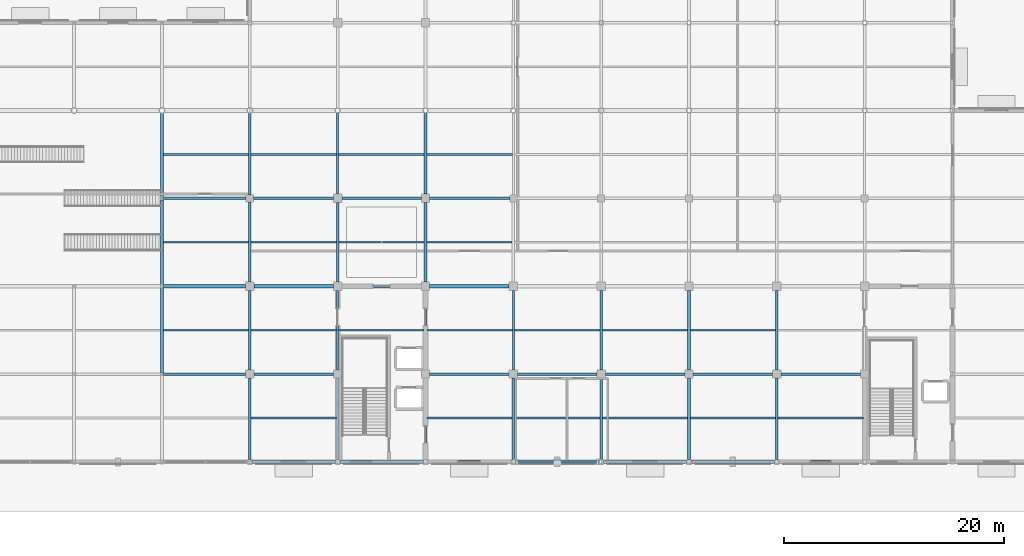
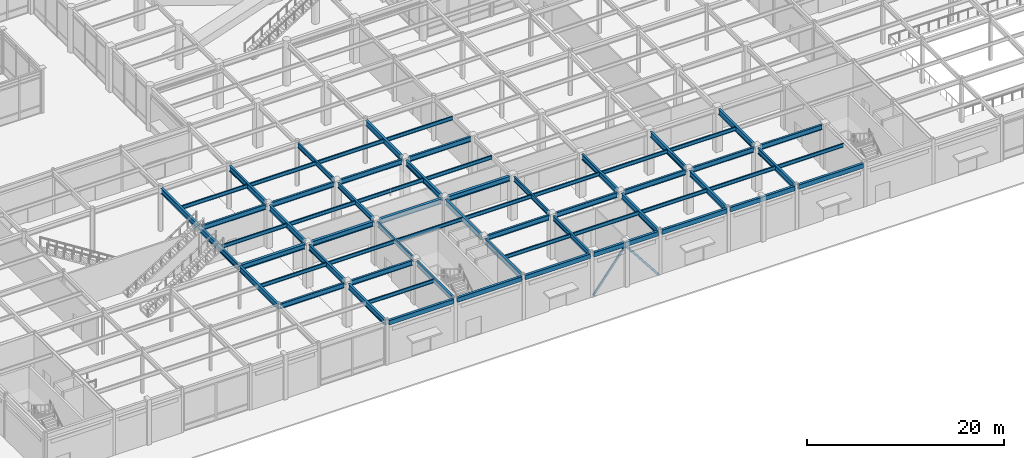
# One storey, part 47 of 128: 66 beams, 2 members.
"""IFC4 building model written with IfcOpenShell, lengths in metres."""

import ifcopenshell
import ifcopenshell.guid

model = None  # the IFC model being written
_history = None  # IfcOwnerHistory: only IFC2X3 demands one
_inside = {}  # id of a spatial element -> (the spatial element, [elements in it])
_under = {}  # id of a project, library or spatial element -> (it, [spatial elements below it])
_declared = {}  # id of a project -> (the project, [libraries it declares])
_typed = {}  # id of a type object -> (the type object, [elements of that type])
_made_of = {}  # id of a material, layer set ... -> (it, [elements and type objects made of it])


def new_model(schema):
    """Start an empty IFC model of exactly this schema.

    Asked for "IFC4X3", IfcOpenShell would pick the latest addendum, in which some entities
    have other attributes; the version numbers below select the first issue.
    IFC2X3 requires an IfcOwnerHistory on every rooted entity: one is made here for all.
    """
    global model, _history
    if schema == "IFC4X3":
        model = ifcopenshell.file(schema_version=(4, 3, 0, 0))
    else:
        model = ifcopenshell.file(schema=schema)
    _inside.clear()
    _under.clear()
    _declared.clear()
    _typed.clear()
    _made_of.clear()
    _history = None
    if model.schema == "IFC2X3":
        org = make("IfcOrganization", Name="unknown")
        user = make(
            "IfcPersonAndOrganization",
            ThePerson=make("IfcPerson", FamilyName="unknown"),
            TheOrganization=org,
        )
        app = make(
            "IfcApplication",
            ApplicationDeveloper=org,
            Version="unknown",
            ApplicationFullName="unknown",
            ApplicationIdentifier="unknown",
        )
        _history = make(
            "IfcOwnerHistory",
            OwningUser=user,
            OwningApplication=app,
            ChangeAction="ADDED",
            CreationDate=0,
        )
    return model


def make(cls, **values):
    """One entity of the class cls with the attributes given. An attribute that is None is left unset."""
    return model.create_entity(
        cls, **{name: value for name, value in values.items() if value is not None}
    )


def rooted(cls, **values):
    """An entity with a GlobalId (a new one), such as an element, a storey or a relation."""
    return make(cls, GlobalId=ifcopenshell.guid.new(), OwnerHistory=_history, **values)


def si_unit(unit_type, name, prefix=None):
    """IfcSIUnit, for example si_unit("LENGTHUNIT", "METRE", prefix="MILLI")."""
    return make("IfcSIUnit", UnitType=unit_type, Prefix=prefix, Name=name)


def assignment(units):
    """IfcUnitAssignment: the units of a project."""
    return None if units is None else make("IfcUnitAssignment", Units=units)


def point(xyz):
    """IfcCartesianPoint."""
    return None if xyz is None else make("IfcCartesianPoint", Coordinates=xyz)


def direction(xyz):
    """IfcDirection."""
    return None if xyz is None else make("IfcDirection", DirectionRatios=xyz)


def frame(location, z_axis=None, x_axis=None):
    """IfcAxis2Placement3D, a coordinate frame: its origin and axes. An axis left out is left unset."""
    return make(
        "IfcAxis2Placement3D",
        Location=point(location),
        Axis=direction(z_axis),
        RefDirection=direction(x_axis),
    )


def frame_2d(location, x_axis=None):
    """IfcAxis2Placement2D, a coordinate frame in the plane: its origin and x axis."""
    return make(
        "IfcAxis2Placement2D", Location=point(location), RefDirection=direction(x_axis)
    )


def origin():
    """The frame at (0, 0, 0) with its axes left unset."""
    return frame((0.0, 0.0, 0.0))


def origin_2d():
    """The frame at (0, 0) in the plane with its x axis left unset."""
    return frame_2d((0.0, 0.0))


def place(relative_to, where):
    """IfcLocalPlacement: puts the frame where relative to a parent placement (None: the world)."""
    return make(
        "IfcLocalPlacement", PlacementRelTo=relative_to, RelativePlacement=where
    )


def context(
    kind, dimensions, precision=None, world=None, true_north=None, identifier=None
):
    """IfcGeometricRepresentationContext, for example the 3D "Model" context."""
    return make(
        "IfcGeometricRepresentationContext",
        ContextIdentifier=identifier,
        ContextType=kind,
        CoordinateSpaceDimension=dimensions,
        Precision=precision,
        WorldCoordinateSystem=world,
        TrueNorth=true_north,
    )


def subcontext(parent, identifier, kind, view, scale=None):
    """IfcGeometricRepresentationSubContext, for example "Body" below "Model"."""
    return make(
        "IfcGeometricRepresentationSubContext",
        ContextIdentifier=identifier,
        ContextType=kind,
        ParentContext=parent,
        TargetScale=scale,
        TargetView=view,
    )


def project(units=None, contexts=None):
    """IfcProject with its units and contexts."""
    return rooted(
        "IfcProject",
        Name="project",
        RepresentationContexts=contexts,
        UnitsInContext=assignment(units),
    )


def spatial(cls, under=None, at=None, **own):
    """A site, building, storey or space (cls), placed at a placement, below another one or the project."""
    s = rooted(cls, ObjectPlacement=at, **own)
    if under is not None:
        _under.setdefault(under.id(), (under, []))[1].append(s)
    return s


def profile(cls, at=None, kind="AREA", **sizes):
    """A parametric profile (cls). Its sizes go by their IFC names, for example OverallWidth=200.0."""
    return make(cls, ProfileType=kind, Position=at, **sizes)


def hollow_rectangle(**sizes):
    """IfcRectangleHollowProfileDef."""
    return profile("IfcRectangleHollowProfileDef", **sizes)


def i_section(**sizes):
    """IfcIShapeProfileDef."""
    return profile("IfcIShapeProfileDef", **sizes)


def extrude(swept, where, along, depth):
    """IfcExtrudedAreaSolid: the profile swept, set in the frame where, extruded along a direction by depth."""
    return make(
        "IfcExtrudedAreaSolid",
        SweptArea=swept,
        Position=where,
        ExtrudedDirection=direction(along),
        Depth=depth,
    )


def shape(context_of_items, identifier, shape_type, items):
    """IfcShapeRepresentation: the items that make up one representation, for example the "Body"."""
    return make(
        "IfcShapeRepresentation",
        ContextOfItems=context_of_items,
        RepresentationIdentifier=identifier,
        RepresentationType=shape_type,
        Items=items,
    )


def material(Name=None, Category=None):
    """IfcMaterial."""
    return make("IfcMaterial", Name=Name, Category=Category)


def material_profile(
    of_material, cross_section, Name=None, Category=None, Priority=None
):
    """IfcMaterialProfile: a cross section and its material."""
    return make(
        "IfcMaterialProfile",
        Name=Name,
        Material=of_material,
        Profile=cross_section,
        Priority=Priority,
        Category=Category,
    )


def profile_set(profiles, Name=None, composite=None):
    """IfcMaterialProfileSet."""
    return make(
        "IfcMaterialProfileSet",
        Name=Name,
        MaterialProfiles=profiles,
        CompositeProfile=composite,
    )


def made_of(thing, what):
    """Note that an element or type object is made of a material, layer set ...; save() writes the relation."""
    if what is not None:
        _made_of.setdefault(what.id(), (what, []))[1].append(thing)
    return thing


def type_object(cls, material=None, **own):
    """A type object (cls), such as IfcWallType, which elements share."""
    return made_of(rooted(cls, **own), material)


def element(
    cls,
    number,
    at=None,
    inside=None,
    cuts=None,
    type_object=None,
    material=None,
    context=None,
    identifier="Body",
    shape_type=None,
    held_by="IfcProductDefinitionShape",
    body=None,
    shapes=None,
    **own,
):
    """One element of the class cls, such as IfcWall. Its Tag is "e" and its number.

    at: its placement. inside: the storey or other place that contains it. cuts: it is an
    opening in that element (IfcRelVoidsElement). A single representation is given by context,
    identifier, shape_type and body (its items); several are given by shapes. held_by: the class
    of the entity that holds the representations. save() writes the other relations.
    """
    e = rooted(cls, Tag="e%d" % number, ObjectPlacement=at, **own)
    if body is not None:
        shapes = [shape(context, identifier, shape_type, body)]
    if shapes is not None:
        e.Representation = make(held_by, Representations=shapes)
    if inside is not None:
        _inside.setdefault(inside.id(), (inside, []))[1].append(e)
    if cuts is not None:
        rooted(
            "IfcRelVoidsElement", RelatingBuildingElement=cuts, RelatedOpeningElement=e
        )
    if type_object is not None:
        _typed.setdefault(type_object.id(), (type_object, []))[1].append(e)
    return made_of(e, material)


def aggregate(whole, parts):
    """IfcRelAggregates: a whole, such as a stair, and the parts it consists of."""
    return rooted("IfcRelAggregates", RelatingObject=whole, RelatedObjects=parts)


def save(model, path):
    """Write the relations noted so far, then the file.

    IfcRelAggregates (storeys below a building ...), IfcRelContainedInSpatialStructure (elements
    in a storey), IfcRelDefinesByType, IfcRelAssociatesMaterial and IfcRelDeclares: one each for
    every whole, place, type object, material and project.
    """
    for whole, parts in _under.values():
        aggregate(whole, parts)
    for where, things in _inside.values():
        rooted(
            "IfcRelContainedInSpatialStructure",
            RelatedElements=things,
            RelatingStructure=where,
        )
    for kind, things in _typed.values():
        rooted("IfcRelDefinesByType", RelatedObjects=things, RelatingType=kind)
    for what, things in _made_of.values():
        rooted("IfcRelAssociatesMaterial", RelatedObjects=things, RelatingMaterial=what)
    for by, libraries in _declared.values():
        rooted("IfcRelDeclares", RelatingContext=by, RelatedDefinitions=libraries)
    model.write(path)


model = new_model("IFC4")

# Units and contexts
model_context = context("Model", 3, precision=1e-05, world=origin(), true_north=direction((0.0, 1.0)))
body_context = subcontext(model_context, "Body", "Model", "MODEL_VIEW")
ifc_project = project(units=[si_unit("LENGTHUNIT", "METRE"), si_unit("AREAUNIT", "SQUARE_METRE"), si_unit("VOLUMEUNIT", "CUBIC_METRE"), si_unit("PLANEANGLEUNIT", "RADIAN"), si_unit("MASSUNIT", "GRAM", prefix="KILO")], contexts=[model_context])

# Site, building, storey
site_placement = place(None, origin())
site = spatial("IfcSite", under=ifc_project, at=site_placement, CompositionType="ELEMENT")
building_placement = place(site_placement, origin())
building = spatial("IfcBuilding", under=site, at=building_placement, Name="Solmirada Galleria", CompositionType="ELEMENT")
storey_placement = place(building_placement, origin())
storey = spatial("IfcBuildingStorey", under=building, at=storey_placement, Name="L00", CompositionType="ELEMENT", Elevation=0.0)

# Beams
ifc_material_1 = material(Name="Steel S355 / ASTM A992 Grade 50", Category="steel")
ifc_material_profile_1 = material_profile(ifc_material_1, i_section(OverallWidth=0.323974609375, OverallDepth=0.611083984375, WebThickness=0.0126953125, FlangeThickness=0.01904296875, FilletRadius=0.014892578125, at=origin_2d()), Name="W24X104")
ifc_profile_set_1 = profile_set([ifc_material_profile_1], Name="Steel S355 / ASTM A992 Grade 50")
beam_type_1 = type_object("IfcBeamType", Name="BM-GIRD-W24A", PredefinedType="BEAM", material=ifc_profile_set_1)
beam_1_placement = place(storey_placement, frame((72.126953125, 16.0, 5.074462890625), z_axis=(1.0, 0.0, 0.0), x_axis=(0.0, 1.0, 0.0)))
element("IfcBeam", 1, at=beam_1_placement, inside=storey, type_object=beam_type_1, Name="Primary beam L01 X(72..80, 16)", PredefinedType="BEAM", context=body_context, shape_type="SweptSolid", body=[
    extrude(i_section(OverallWidth=0.323974609375, OverallDepth=0.611083984375, WebThickness=0.0126953125, FlangeThickness=0.01904296875, FilletRadius=0.014892578125, at=origin_2d()), origin(), (0.0, 0.0, 1.0), 7.498046875),
])
for number, where, z_axis, x_axis, name in (
    (2, (80.375, 16.0, 5.074462890625), (1.0, 0.0, 0.0), (0.0, 1.0, 0.0), "Primary beam L01 X(80..88, 16)"),
    (3, (88.375, 16.0, 5.074462890625), (1.0, 0.0, 0.0), (0.0, 1.0, 0.0), "Primary beam L01 X(88..96, 16)"),
    (4, (96.375, 16.0, 5.074462890625), (1.0, 0.0, 0.0), (0.0, 1.0, 0.0), "Primary beam L01 X(96..104, 16)"),
):
    element("IfcBeam", number, at=place(storey_placement, frame(where, z_axis=z_axis, x_axis=x_axis)), inside=storey, type_object=beam_type_1, Name=name, PredefinedType="BEAM", context=body_context, shape_type="SweptSolid", body=[
        extrude(i_section(OverallWidth=0.323974609375, OverallDepth=0.611083984375, WebThickness=0.0126953125, FlangeThickness=0.01904296875, FilletRadius=0.014892578125, at=origin_2d()), origin(), (0.0, 0.0, 1.0), 7.25),
    ])
ifc_material_profile_2 = material_profile(ifc_material_1, i_section(OverallWidth=0.22900390625, OverallDepth=0.612060546875, WebThickness=0.011962890625, FlangeThickness=0.01953125, FilletRadius=0.014892578125, at=origin_2d()), Name="W24X84")
ifc_profile_set_2 = profile_set([ifc_material_profile_2], Name="Steel S355 / ASTM A992 Grade 50")
beam_type_2 = type_object("IfcBeamType", Name="BM-GIRD-W24B", PredefinedType="BEAM", material=ifc_profile_set_2)
beam_2_placement = place(storey_placement, frame((72.126953125, 8.0, 5.073974609375), z_axis=(1.0, 0.0, 0.0), x_axis=(0.0, 1.0, 0.0)))
element("IfcBeam", 5, at=beam_2_placement, inside=storey, type_object=beam_type_2, Name="Primary beam L01 X(72..80, 8)", PredefinedType="BEAM", context=body_context, shape_type="SweptSolid", body=[
    extrude(i_section(OverallWidth=0.22900390625, OverallDepth=0.612060546875, WebThickness=0.011962890625, FlangeThickness=0.01953125, FilletRadius=0.014892578125, at=origin_2d()), origin(), (0.0, 0.0, 1.0), 7.498046875),
])
beam_3_placement = place(storey_placement, frame((72.126953125, 24.0, 5.073974609375), z_axis=(1.0, 0.0, 0.0), x_axis=(0.0, 1.0, 0.0)))
element("IfcBeam", 6, at=beam_3_placement, inside=storey, type_object=beam_type_2, Name="Primary beam L01 X(72..80, 24)", PredefinedType="BEAM", context=body_context, shape_type="SweptSolid", body=[
    extrude(i_section(OverallWidth=0.22900390625, OverallDepth=0.612060546875, WebThickness=0.011962890625, FlangeThickness=0.01953125, FilletRadius=0.014892578125, at=origin_2d()), origin(), (0.0, 0.0, 1.0), 7.548095703125),
])
beam_4_placement = place(storey_placement, frame((80.375, 8.0, 5.073974609375), z_axis=(1.0, 0.0, 0.0), x_axis=(0.0, 1.0, 0.0)))
element("IfcBeam", 7, at=beam_4_placement, inside=storey, type_object=beam_type_2, Name="Primary beam L01 X(80..88, 8)", PredefinedType="BEAM", context=body_context, shape_type="SweptSolid", body=[
    extrude(i_section(OverallWidth=0.22900390625, OverallDepth=0.612060546875, WebThickness=0.011962890625, FlangeThickness=0.01953125, FilletRadius=0.014892578125, at=origin_2d()), origin(), (0.0, 0.0, 1.0), 7.25),
])
beam_5_placement = place(storey_placement, frame((80.324951171875, 24.0, 5.073974609375), z_axis=(1.0, 0.0, 0.0), x_axis=(0.0, 1.0, 0.0)))
element("IfcBeam", 8, at=beam_5_placement, inside=storey, type_object=beam_type_2, Name="Primary beam L01 X(80..88, 24)", PredefinedType="BEAM", context=body_context, shape_type="SweptSolid", body=[
    extrude(i_section(OverallWidth=0.22900390625, OverallDepth=0.612060546875, WebThickness=0.011962890625, FlangeThickness=0.01953125, FilletRadius=0.014892578125, at=origin_2d()), origin(), (0.0, 0.0, 1.0), 7.300048828125),
])
for number, where, z_axis, x_axis, name in (
    (9, (88.375, 24.0, 5.073974609375), (1.0, 0.0, 0.0), (0.0, 1.0, 0.0), "Primary beam L01 X(88..96, 24)"),
    (10, (96.375, 8.0, 5.073974609375), (1.0, 0.0, 0.0), (0.0, 1.0, 0.0), "Primary beam L01 X(96..104, 8)"),
):
    element("IfcBeam", number, at=place(storey_placement, frame(where, z_axis=z_axis, x_axis=x_axis)), inside=storey, type_object=beam_type_2, Name=name, PredefinedType="BEAM", context=body_context, shape_type="SweptSolid", body=[
        extrude(i_section(OverallWidth=0.22900390625, OverallDepth=0.612060546875, WebThickness=0.011962890625, FlangeThickness=0.01953125, FilletRadius=0.014892578125, at=origin_2d()), origin(), (0.0, 0.0, 1.0), 7.25),
    ])
beam_6_placement = place(storey_placement, frame((96.375, 24.0, 5.073974609375), z_axis=(1.0, 0.0, 0.0), x_axis=(0.0, 1.0, 0.0)))
element("IfcBeam", 11, at=beam_6_placement, inside=storey, type_object=beam_type_2, Name="Primary beam L01 X(96..104, 24)", PredefinedType="BEAM", context=body_context, shape_type="SweptSolid", body=[
    extrude(i_section(OverallWidth=0.22900390625, OverallDepth=0.612060546875, WebThickness=0.011962890625, FlangeThickness=0.01953125, FilletRadius=0.014892578125, at=origin_2d()), origin(), (0.0, 0.0, 1.0), 7.300048828125),
])
for number, where, z_axis, x_axis, name in (
    (12, (104.375, 8.0, 5.073974609375), (1.0, 0.0, 0.0), (0.0, 1.0, 0.0), "Primary beam L01 X(104..112, 8)"),
    (13, (112.375, 8.0, 5.073974609375), (1.0, 0.0, 0.0), (0.0, 1.0, 0.0), "Primary beam L01 X(112..120, 8)"),
    (14, (120.375, 8.0, 5.073974609375), (1.0, 0.0, 0.0), (0.0, 1.0, 0.0), "Primary beam L01 X(120..128, 8)"),
    (15, (128.375, 8.0, 5.073974609375), (1.0, 0.0, 0.0), (0.0, 1.0, 0.0), "Primary beam L01 X(128..136, 8)"),
):
    element("IfcBeam", number, at=place(storey_placement, frame(where, z_axis=z_axis, x_axis=x_axis)), inside=storey, type_object=beam_type_2, Name=name, PredefinedType="BEAM", context=body_context, shape_type="SweptSolid", body=[
        extrude(i_section(OverallWidth=0.22900390625, OverallDepth=0.612060546875, WebThickness=0.011962890625, FlangeThickness=0.01953125, FilletRadius=0.014892578125, at=origin_2d()), origin(), (0.0, 0.0, 1.0), 7.25),
    ])
ifc_material_profile_3 = material_profile(ifc_material_1, i_section(OverallWidth=0.22802734375, OverallDepth=0.60302734375, WebThickness=0.010498046875, FlangeThickness=0.014892578125, FilletRadius=0.014892578125, at=origin_2d()), Name="W24X68")
ifc_profile_set_3 = profile_set([ifc_material_profile_3], Name="Steel S355 / ASTM A992 Grade 50")
beam_type_3 = type_object("IfcBeamType", Name="BM-GIRD-W24C", PredefinedType="BEAM", material=ifc_profile_set_3)
beam_7_placement = place(storey_placement, frame((88.0, 0.202880859375, 5.07861328125), z_axis=(0.0, 1.0, 0.0), x_axis=(-1.0, 0.0, 0.0)))
element("IfcBeam", 16, at=beam_7_placement, inside=storey, type_object=beam_type_3, Name="Primary girder L01 Y(88, 0..8)", PredefinedType="BEAM", context=body_context, shape_type="SweptSolid", body=[
    extrude(i_section(OverallWidth=0.22802734375, OverallDepth=0.60302734375, WebThickness=0.010498046875, FlangeThickness=0.014892578125, FilletRadius=0.014892578125, at=origin_2d()), origin(), (0.0, 0.0, 1.0), 7.422119140625),
])
beam_8_placement = place(storey_placement, frame((88.0, 16.375, 5.07861328125), z_axis=(0.0, 1.0, 0.0), x_axis=(-1.0, 0.0, 0.0)))
element("IfcBeam", 17, at=beam_8_placement, inside=storey, type_object=beam_type_3, Name="Primary girder L01 Y(88, 16..24)", PredefinedType="BEAM", context=body_context, shape_type="SweptSolid", body=[
    extrude(i_section(OverallWidth=0.22802734375, OverallDepth=0.60302734375, WebThickness=0.010498046875, FlangeThickness=0.014892578125, FilletRadius=0.014892578125, at=origin_2d()), origin(), (0.0, 0.0, 1.0), 7.25),
])
beam_9_placement = place(storey_placement, frame((104.0, 0.202880859375, 5.07861328125), z_axis=(0.0, 1.0, 0.0), x_axis=(-1.0, 0.0, 0.0)))
element("IfcBeam", 18, at=beam_9_placement, inside=storey, type_object=beam_type_3, Name="Primary girder L01 Y(104, 0..8)", PredefinedType="BEAM", context=body_context, shape_type="SweptSolid", body=[
    extrude(i_section(OverallWidth=0.22802734375, OverallDepth=0.60302734375, WebThickness=0.010498046875, FlangeThickness=0.014892578125, FilletRadius=0.014892578125, at=origin_2d()), origin(), (0.0, 0.0, 1.0), 7.422119140625),
])
ifc_material_profile_4 = material_profile(ifc_material_1, i_section(OverallWidth=0.177978515625, OverallDepth=0.59912109375, WebThickness=0.010009765625, FlangeThickness=0.0126953125, FilletRadius=0.013916015625, at=origin_2d()), Name="W24X55")
ifc_profile_set_4 = profile_set([ifc_material_profile_4], Name="Steel S355 / ASTM A992 Grade 50")
beam_type_4 = type_object("IfcBeamType", Name="BM-GIRD-W24D", PredefinedType="BEAM", material=ifc_profile_set_4)
beam_10_placement = place(storey_placement, frame((88.0, 8.375, 5.08056640625), z_axis=(0.0, 1.0, 0.0), x_axis=(-1.0, 0.0, 0.0)))
element("IfcBeam", 19, at=beam_10_placement, inside=storey, type_object=beam_type_4, Name="Primary girder L01 Y(88, 8..16)", PredefinedType="BEAM", context=body_context, shape_type="SweptSolid", body=[
    extrude(i_section(OverallWidth=0.177978515625, OverallDepth=0.59912109375, WebThickness=0.010009765625, FlangeThickness=0.0126953125, FilletRadius=0.013916015625, at=origin_2d()), origin(), (0.0, 0.0, 1.0), 7.25),
])
beam_11_placement = place(storey_placement, frame((88.0, 24.375, 5.08056640625), z_axis=(0.0, 1.0, 0.0), x_axis=(-1.0, 0.0, 0.0)))
element("IfcBeam", 20, at=beam_11_placement, inside=storey, type_object=beam_type_4, Name="Primary girder L01 Y(88, 24..32)", PredefinedType="BEAM", context=body_context, shape_type="SweptSolid", body=[
    extrude(i_section(OverallWidth=0.177978515625, OverallDepth=0.59912109375, WebThickness=0.010009765625, FlangeThickness=0.0126953125, FilletRadius=0.013916015625, at=origin_2d()), origin(), (0.0, 0.0, 1.0), 7.43310546875),
])
beam_12_placement = place(storey_placement, frame((104.0, 8.375, 5.08056640625), z_axis=(0.0, 1.0, 0.0), x_axis=(-1.0, 0.0, 0.0)))
element("IfcBeam", 21, at=beam_12_placement, inside=storey, type_object=beam_type_4, Name="Primary girder L01 Y(104, 8..16)", PredefinedType="BEAM", context=body_context, shape_type="SweptSolid", body=[
    extrude(i_section(OverallWidth=0.177978515625, OverallDepth=0.59912109375, WebThickness=0.010009765625, FlangeThickness=0.0126953125, FilletRadius=0.013916015625, at=origin_2d()), origin(), (0.0, 0.0, 1.0), 7.25),
])
ifc_material_profile_5 = material_profile(ifc_material_1, i_section(OverallWidth=0.256103515625, OverallDepth=0.693115234375, WebThickness=0.014404296875, FlangeThickness=0.023681640625, FilletRadius=0.01806640625, at=origin_2d()), Name="W27X114")
ifc_profile_set_5 = profile_set([ifc_material_profile_5], Name="Steel S355 / ASTM A992 Grade 50")
beam_type_5 = type_object("IfcBeamType", Name="BM-GIRD-W27A", PredefinedType="BEAM", material=ifc_profile_set_5)
for number, where, z_axis, x_axis, name in (
    (22, (72.0, 8.126953125, 5.033447265625), (0.0, 1.0, 0.0), (-1.0, 0.0, 0.0), "Primary girder L01 Y(72, 8..16)"),
    (23, (72.0, 16.126953125, 5.033447265625), (0.0, 1.0, 0.0), (-1.0, 0.0, 0.0), "Primary girder L01 Y(72, 16..24)"),
):
    element("IfcBeam", number, at=place(storey_placement, frame(where, z_axis=z_axis, x_axis=x_axis)), inside=storey, type_object=beam_type_5, Name=name, PredefinedType="BEAM", context=body_context, shape_type="SweptSolid", body=[
        extrude(i_section(OverallWidth=0.256103515625, OverallDepth=0.693115234375, WebThickness=0.014404296875, FlangeThickness=0.023681640625, FilletRadius=0.01806640625, at=origin_2d()), origin(), (0.0, 0.0, 1.0), 7.74609375),
    ])
beam_13_placement = place(storey_placement, frame((72.0, 24.126953125, 5.033447265625), z_axis=(0.0, 1.0, 0.0), x_axis=(-1.0, 0.0, 0.0)))
element("IfcBeam", 24, at=beam_13_placement, inside=storey, type_object=beam_type_5, Name="Primary girder L01 Y(72, 24..32)", PredefinedType="BEAM", context=body_context, shape_type="SweptSolid", body=[
    extrude(i_section(OverallWidth=0.256103515625, OverallDepth=0.693115234375, WebThickness=0.014404296875, FlangeThickness=0.023681640625, FilletRadius=0.01806640625, at=origin_2d()), origin(), (0.0, 0.0, 1.0), 7.65966796875),
])
beam_14_placement = place(storey_placement, frame((96.0, 0.202880859375, 5.033447265625), z_axis=(0.0, 1.0, 0.0), x_axis=(-1.0, 0.0, 0.0)))
element("IfcBeam", 25, at=beam_14_placement, inside=storey, type_object=beam_type_5, Name="Primary girder L01 Y(96, 0..8)", PredefinedType="BEAM", context=body_context, shape_type="SweptSolid", body=[
    extrude(i_section(OverallWidth=0.256103515625, OverallDepth=0.693115234375, WebThickness=0.014404296875, FlangeThickness=0.023681640625, FilletRadius=0.01806640625, at=origin_2d()), origin(), (0.0, 0.0, 1.0), 7.422119140625),
])
for number, where, z_axis, x_axis, name in (
    (26, (96.0, 8.375, 5.033447265625), (0.0, 1.0, 0.0), (-1.0, 0.0, 0.0), "Primary girder L01 Y(96, 8..16)"),
    (27, (96.0, 16.375, 5.033447265625), (0.0, 1.0, 0.0), (-1.0, 0.0, 0.0), "Primary girder L01 Y(96, 16..24)"),
):
    element("IfcBeam", number, at=place(storey_placement, frame(where, z_axis=z_axis, x_axis=x_axis)), inside=storey, type_object=beam_type_5, Name=name, PredefinedType="BEAM", context=body_context, shape_type="SweptSolid", body=[
        extrude(i_section(OverallWidth=0.256103515625, OverallDepth=0.693115234375, WebThickness=0.014404296875, FlangeThickness=0.023681640625, FilletRadius=0.01806640625, at=origin_2d()), origin(), (0.0, 0.0, 1.0), 7.25),
    ])
beam_15_placement = place(storey_placement, frame((96.0, 24.375, 5.033447265625), z_axis=(0.0, 1.0, 0.0), x_axis=(-1.0, 0.0, 0.0)))
element("IfcBeam", 28, at=beam_15_placement, inside=storey, type_object=beam_type_5, Name="Primary girder L01 Y(96, 24..32)", PredefinedType="BEAM", context=body_context, shape_type="SweptSolid", body=[
    extrude(i_section(OverallWidth=0.256103515625, OverallDepth=0.693115234375, WebThickness=0.014404296875, FlangeThickness=0.023681640625, FilletRadius=0.01806640625, at=origin_2d()), origin(), (0.0, 0.0, 1.0), 7.43310546875),
])
beam_16_placement = place(storey_placement, frame((120.0, 0.202880859375, 5.033447265625), z_axis=(0.0, 1.0, 0.0), x_axis=(-1.0, 0.0, 0.0)))
element("IfcBeam", 29, at=beam_16_placement, inside=storey, type_object=beam_type_5, Name="Primary girder L01 Y(120, 0..8)", PredefinedType="BEAM", context=body_context, shape_type="SweptSolid", body=[
    extrude(i_section(OverallWidth=0.256103515625, OverallDepth=0.693115234375, WebThickness=0.014404296875, FlangeThickness=0.023681640625, FilletRadius=0.01806640625, at=origin_2d()), origin(), (0.0, 0.0, 1.0), 7.422119140625),
])
beam_17_placement = place(storey_placement, frame((120.0, 8.375, 5.033447265625), z_axis=(0.0, 1.0, 0.0), x_axis=(-1.0, 0.0, 0.0)))
element("IfcBeam", 30, at=beam_17_placement, inside=storey, type_object=beam_type_5, Name="Primary girder L01 Y(120, 8..16)", PredefinedType="BEAM", context=body_context, shape_type="SweptSolid", body=[
    extrude(i_section(OverallWidth=0.256103515625, OverallDepth=0.693115234375, WebThickness=0.014404296875, FlangeThickness=0.023681640625, FilletRadius=0.01806640625, at=origin_2d()), origin(), (0.0, 0.0, 1.0), 7.25),
])
ifc_material_profile_6 = material_profile(ifc_material_1, i_section(OverallWidth=0.25390625, OverallDepth=0.68408203125, WebThickness=0.012451171875, FlangeThickness=0.018798828125, FilletRadius=0.01708984375, at=origin_2d()), Name="W27X94")
ifc_profile_set_6 = profile_set([ifc_material_profile_6], Name="Steel S355 / ASTM A992 Grade 50")
beam_type_6 = type_object("IfcBeamType", Name="BM-GIRD-W27B", PredefinedType="BEAM", material=ifc_profile_set_6)
beam_18_placement = place(storey_placement, frame((80.0, 0.202880859375, 5.0380859375), z_axis=(0.0, 1.0, 0.0), x_axis=(-1.0, 0.0, 0.0)))
element("IfcBeam", 31, at=beam_18_placement, inside=storey, type_object=beam_type_6, Name="Primary girder L01 Y(80, 0..8)", PredefinedType="BEAM", context=body_context, shape_type="SweptSolid", body=[
    extrude(i_section(OverallWidth=0.25390625, OverallDepth=0.68408203125, WebThickness=0.012451171875, FlangeThickness=0.018798828125, FilletRadius=0.01708984375, at=origin_2d()), origin(), (0.0, 0.0, 1.0), 7.422119140625),
])
beam_19_placement = place(storey_placement, frame((80.0, 8.375, 5.0380859375), z_axis=(0.0, 1.0, 0.0), x_axis=(-1.0, 0.0, 0.0)))
element("IfcBeam", 32, at=beam_19_placement, inside=storey, type_object=beam_type_6, Name="Primary girder L01 Y(80, 8..16)", PredefinedType="BEAM", context=body_context, shape_type="SweptSolid", body=[
    extrude(i_section(OverallWidth=0.25390625, OverallDepth=0.68408203125, WebThickness=0.012451171875, FlangeThickness=0.018798828125, FilletRadius=0.01708984375, at=origin_2d()), origin(), (0.0, 0.0, 1.0), 7.25),
])
beam_20_placement = place(storey_placement, frame((80.0, 16.375, 5.0380859375), z_axis=(0.0, 1.0, 0.0), x_axis=(-1.0, 0.0, 0.0)))
element("IfcBeam", 33, at=beam_20_placement, inside=storey, type_object=beam_type_6, Name="Primary girder L01 Y(80, 16..24)", PredefinedType="BEAM", context=body_context, shape_type="SweptSolid", body=[
    extrude(i_section(OverallWidth=0.25390625, OverallDepth=0.68408203125, WebThickness=0.012451171875, FlangeThickness=0.018798828125, FilletRadius=0.01708984375, at=origin_2d()), origin(), (0.0, 0.0, 1.0), 7.300048828125),
])
beam_21_placement = place(storey_placement, frame((80.0, 24.324951171875, 5.0380859375), z_axis=(0.0, 1.0, 0.0), x_axis=(-1.0, 0.0, 0.0)))
element("IfcBeam", 34, at=beam_21_placement, inside=storey, type_object=beam_type_6, Name="Primary girder L01 Y(80, 24..32)", PredefinedType="BEAM", context=body_context, shape_type="SweptSolid", body=[
    extrude(i_section(OverallWidth=0.25390625, OverallDepth=0.68408203125, WebThickness=0.012451171875, FlangeThickness=0.018798828125, FilletRadius=0.01708984375, at=origin_2d()), origin(), (0.0, 0.0, 1.0), 7.461669921875),
])
beam_22_placement = place(storey_placement, frame((112.0, 0.202880859375, 5.0380859375), z_axis=(0.0, 1.0, 0.0), x_axis=(-1.0, 0.0, 0.0)))
element("IfcBeam", 35, at=beam_22_placement, inside=storey, type_object=beam_type_6, Name="Primary girder L01 Y(112, 0..8)", PredefinedType="BEAM", context=body_context, shape_type="SweptSolid", body=[
    extrude(i_section(OverallWidth=0.25390625, OverallDepth=0.68408203125, WebThickness=0.012451171875, FlangeThickness=0.018798828125, FilletRadius=0.01708984375, at=origin_2d()), origin(), (0.0, 0.0, 1.0), 7.422119140625),
])
beam_23_placement = place(storey_placement, frame((112.0, 8.375, 5.0380859375), z_axis=(0.0, 1.0, 0.0), x_axis=(-1.0, 0.0, 0.0)))
element("IfcBeam", 36, at=beam_23_placement, inside=storey, type_object=beam_type_6, Name="Primary girder L01 Y(112, 8..16)", PredefinedType="BEAM", context=body_context, shape_type="SweptSolid", body=[
    extrude(i_section(OverallWidth=0.25390625, OverallDepth=0.68408203125, WebThickness=0.012451171875, FlangeThickness=0.018798828125, FilletRadius=0.01708984375, at=origin_2d()), origin(), (0.0, 0.0, 1.0), 7.25),
])
beam_24_placement = place(storey_placement, frame((128.0, 0.202880859375, 5.0380859375), z_axis=(0.0, 1.0, 0.0), x_axis=(-1.0, 0.0, 0.0)))
element("IfcBeam", 37, at=beam_24_placement, inside=storey, type_object=beam_type_6, Name="Primary girder L01 Y(128, 0..8)", PredefinedType="BEAM", context=body_context, shape_type="SweptSolid", body=[
    extrude(i_section(OverallWidth=0.25390625, OverallDepth=0.68408203125, WebThickness=0.012451171875, FlangeThickness=0.018798828125, FilletRadius=0.01708984375, at=origin_2d()), origin(), (0.0, 0.0, 1.0), 7.422119140625),
])
beam_25_placement = place(storey_placement, frame((128.0, 8.375, 5.0380859375), z_axis=(0.0, 1.0, 0.0), x_axis=(-1.0, 0.0, 0.0)))
element("IfcBeam", 38, at=beam_25_placement, inside=storey, type_object=beam_type_6, Name="Primary girder L01 Y(128, 8..16)", PredefinedType="BEAM", context=body_context, shape_type="SweptSolid", body=[
    extrude(i_section(OverallWidth=0.25390625, OverallDepth=0.68408203125, WebThickness=0.012451171875, FlangeThickness=0.018798828125, FilletRadius=0.01708984375, at=origin_2d()), origin(), (0.0, 0.0, 1.0), 7.25),
])
ifc_material_profile_7 = material_profile(ifc_material_1, i_section(OverallWidth=0.153076171875, OverallDepth=0.455078125, WebThickness=0.008056640625, FlangeThickness=0.01318359375, FilletRadius=0.011962890625, at=origin_2d()), Name="W18X40")
ifc_profile_set_7 = profile_set([ifc_material_profile_7], Name="Steel S355 / ASTM A992 Grade 50")
beam_type_7 = type_object("IfcBeamType", Name="BM-JST-W18A", PredefinedType="JOIST", material=ifc_profile_set_7)
for number, where, z_axis, x_axis, name in (
    (39, (72.1279296875, 12.0, 5.152587890625), (1.0, 0.0, 0.0), (0.0, 1.0, 0.0), "Composite floor joist L01 (72..80, 12.0)"),
    (40, (72.1279296875, 20.0, 5.152587890625), (1.0, 0.0, 0.0), (0.0, 1.0, 0.0), "Composite floor joist L01 (72..80, 20.0)"),
    (41, (72.1279296875, 28.0, 5.152587890625), (1.0, 0.0, 0.0), (0.0, 1.0, 0.0), "Composite floor joist L01 (72..80, 28.0)"),
):
    element("IfcBeam", number, at=place(storey_placement, frame(where, z_axis=z_axis, x_axis=x_axis)), inside=storey, type_object=beam_type_7, Name=name, PredefinedType="JOIST", context=body_context, shape_type="SweptSolid", body=[
        extrude(i_section(OverallWidth=0.153076171875, OverallDepth=0.455078125, WebThickness=0.008056640625, FlangeThickness=0.01318359375, FilletRadius=0.011962890625, at=origin_2d()), origin(), (0.0, 0.0, 1.0), 7.7451171875),
    ])
beam_26_placement = place(storey_placement, frame((80.126953125, 4.0, 5.152587890625), z_axis=(1.0, 0.0, 0.0), x_axis=(0.0, 1.0, 0.0)))
element("IfcBeam", 42, at=beam_26_placement, inside=storey, type_object=beam_type_7, Name="Composite floor joist L01 (80..88, 4.0)", PredefinedType="JOIST", context=body_context, shape_type="SweptSolid", body=[
    extrude(i_section(OverallWidth=0.153076171875, OverallDepth=0.455078125, WebThickness=0.008056640625, FlangeThickness=0.01318359375, FilletRadius=0.011962890625, at=origin_2d()), origin(), (0.0, 0.0, 1.0), 7.759033203125),
])
beam_27_placement = place(storey_placement, frame((80.126953125, 12.0, 5.152587890625), z_axis=(1.0, 0.0, 0.0), x_axis=(0.0, 1.0, 0.0)))
element("IfcBeam", 43, at=beam_27_placement, inside=storey, type_object=beam_type_7, Name="Composite floor joist L01 (80..88, 12.0)", PredefinedType="JOIST", context=body_context, shape_type="SweptSolid", body=[
    extrude(i_section(OverallWidth=0.153076171875, OverallDepth=0.455078125, WebThickness=0.008056640625, FlangeThickness=0.01318359375, FilletRadius=0.011962890625, at=origin_2d()), origin(), (0.0, 0.0, 1.0), 7.783935546875),
])
beam_28_placement = place(storey_placement, frame((80.126953125, 20.0, 5.152587890625), z_axis=(1.0, 0.0, 0.0), x_axis=(0.0, 1.0, 0.0)))
element("IfcBeam", 44, at=beam_28_placement, inside=storey, type_object=beam_type_7, Name="Composite floor joist L01 (80..88, 20.0)", PredefinedType="JOIST", context=body_context, shape_type="SweptSolid", body=[
    extrude(i_section(OverallWidth=0.153076171875, OverallDepth=0.455078125, WebThickness=0.008056640625, FlangeThickness=0.01318359375, FilletRadius=0.011962890625, at=origin_2d()), origin(), (0.0, 0.0, 1.0), 7.759033203125),
])
beam_29_placement = place(storey_placement, frame((80.126953125, 28.0, 5.152587890625), z_axis=(1.0, 0.0, 0.0), x_axis=(0.0, 1.0, 0.0)))
element("IfcBeam", 45, at=beam_29_placement, inside=storey, type_object=beam_type_7, Name="Composite floor joist L01 (80..88, 28.0)", PredefinedType="JOIST", context=body_context, shape_type="SweptSolid", body=[
    extrude(i_section(OverallWidth=0.153076171875, OverallDepth=0.455078125, WebThickness=0.008056640625, FlangeThickness=0.01318359375, FilletRadius=0.011962890625, at=origin_2d()), origin(), (0.0, 0.0, 1.0), 7.783935546875),
])
beam_30_placement = place(storey_placement, frame((88.089111328125, 12.0, 5.152587890625), z_axis=(1.0, 0.0, 0.0), x_axis=(0.0, 1.0, 0.0)))
element("IfcBeam", 46, at=beam_30_placement, inside=storey, type_object=beam_type_7, Name="Composite floor joist L01 (88..96, 12.0)", PredefinedType="JOIST", context=body_context, shape_type="SweptSolid", body=[
    extrude(i_section(OverallWidth=0.153076171875, OverallDepth=0.455078125, WebThickness=0.008056640625, FlangeThickness=0.01318359375, FilletRadius=0.011962890625, at=origin_2d()), origin(), (0.0, 0.0, 1.0), 7.782958984375),
])
beam_31_placement = place(storey_placement, frame((88.114013671875, 20.0, 5.152587890625), z_axis=(1.0, 0.0, 0.0), x_axis=(0.0, 1.0, 0.0)))
element("IfcBeam", 47, at=beam_31_placement, inside=storey, type_object=beam_type_7, Name="Composite floor joist L01 (88..96, 20.0)", PredefinedType="JOIST", context=body_context, shape_type="SweptSolid", body=[
    extrude(i_section(OverallWidth=0.153076171875, OverallDepth=0.455078125, WebThickness=0.008056640625, FlangeThickness=0.01318359375, FilletRadius=0.011962890625, at=origin_2d()), origin(), (0.0, 0.0, 1.0), 7.758056640625),
])
beam_32_placement = place(storey_placement, frame((88.089111328125, 28.0, 5.152587890625), z_axis=(1.0, 0.0, 0.0), x_axis=(0.0, 1.0, 0.0)))
element("IfcBeam", 48, at=beam_32_placement, inside=storey, type_object=beam_type_7, Name="Composite floor joist L01 (88..96, 28.0)", PredefinedType="JOIST", context=body_context, shape_type="SweptSolid", body=[
    extrude(i_section(OverallWidth=0.153076171875, OverallDepth=0.455078125, WebThickness=0.008056640625, FlangeThickness=0.01318359375, FilletRadius=0.011962890625, at=origin_2d()), origin(), (0.0, 0.0, 1.0), 7.782958984375),
])
beam_33_placement = place(storey_placement, frame((96.1279296875, 4.0, 5.152587890625), z_axis=(1.0, 0.0, 0.0), x_axis=(0.0, 1.0, 0.0)))
element("IfcBeam", 49, at=beam_33_placement, inside=storey, type_object=beam_type_7, Name="Composite floor joist L01 (96..104, 4.0)", PredefinedType="JOIST", context=body_context, shape_type="SweptSolid", body=[
    extrude(i_section(OverallWidth=0.153076171875, OverallDepth=0.455078125, WebThickness=0.008056640625, FlangeThickness=0.01318359375, FilletRadius=0.011962890625, at=origin_2d()), origin(), (0.0, 0.0, 1.0), 7.758056640625),
])
beam_34_placement = place(storey_placement, frame((96.1279296875, 12.0, 5.152587890625), z_axis=(1.0, 0.0, 0.0), x_axis=(0.0, 1.0, 0.0)))
element("IfcBeam", 50, at=beam_34_placement, inside=storey, type_object=beam_type_7, Name="Composite floor joist L01 (96..104, 12.0)", PredefinedType="JOIST", context=body_context, shape_type="SweptSolid", body=[
    extrude(i_section(OverallWidth=0.153076171875, OverallDepth=0.455078125, WebThickness=0.008056640625, FlangeThickness=0.01318359375, FilletRadius=0.011962890625, at=origin_2d()), origin(), (0.0, 0.0, 1.0), 7.782958984375),
])
beam_35_placement = place(storey_placement, frame((96.1279296875, 20.0, 5.152587890625), z_axis=(1.0, 0.0, 0.0), x_axis=(0.0, 1.0, 0.0)))
element("IfcBeam", 51, at=beam_35_placement, inside=storey, type_object=beam_type_7, Name="Composite floor joist L01 (96..104, 20.0)", PredefinedType="JOIST", context=body_context, shape_type="SweptSolid", body=[
    extrude(i_section(OverallWidth=0.153076171875, OverallDepth=0.455078125, WebThickness=0.008056640625, FlangeThickness=0.01318359375, FilletRadius=0.011962890625, at=origin_2d()), origin(), (0.0, 0.0, 1.0), 7.758056640625),
])
beam_36_placement = place(storey_placement, frame((96.1279296875, 28.0, 5.152587890625), z_axis=(1.0, 0.0, 0.0), x_axis=(0.0, 1.0, 0.0)))
element("IfcBeam", 52, at=beam_36_placement, inside=storey, type_object=beam_type_7, Name="Composite floor joist L01 (96..104, 28.0)", PredefinedType="JOIST", context=body_context, shape_type="SweptSolid", body=[
    extrude(i_section(OverallWidth=0.153076171875, OverallDepth=0.455078125, WebThickness=0.008056640625, FlangeThickness=0.01318359375, FilletRadius=0.011962890625, at=origin_2d()), origin(), (0.0, 0.0, 1.0), 7.782958984375),
])
beam_37_placement = place(storey_placement, frame((104.114013671875, 4.0, 5.152587890625), z_axis=(1.0, 0.0, 0.0), x_axis=(0.0, 1.0, 0.0)))
element("IfcBeam", 53, at=beam_37_placement, inside=storey, type_object=beam_type_7, Name="Composite floor joist L01 (104..112, 4.0)", PredefinedType="JOIST", context=body_context, shape_type="SweptSolid", body=[
    extrude(i_section(OverallWidth=0.153076171875, OverallDepth=0.455078125, WebThickness=0.008056640625, FlangeThickness=0.01318359375, FilletRadius=0.011962890625, at=origin_2d()), origin(), (0.0, 0.0, 1.0), 7.759033203125),
])
beam_38_placement = place(storey_placement, frame((104.089111328125, 12.0, 5.152587890625), z_axis=(1.0, 0.0, 0.0), x_axis=(0.0, 1.0, 0.0)))
element("IfcBeam", 54, at=beam_38_placement, inside=storey, type_object=beam_type_7, Name="Composite floor joist L01 (104..112, 12.0)", PredefinedType="JOIST", context=body_context, shape_type="SweptSolid", body=[
    extrude(i_section(OverallWidth=0.153076171875, OverallDepth=0.455078125, WebThickness=0.008056640625, FlangeThickness=0.01318359375, FilletRadius=0.011962890625, at=origin_2d()), origin(), (0.0, 0.0, 1.0), 7.783935546875),
])
for number, where, z_axis, x_axis, name in (
    (55, (112.126953125, 4.0, 5.152587890625), (1.0, 0.0, 0.0), (0.0, 1.0, 0.0), "Composite floor joist L01 (112..120, 4.0)"),
    (56, (112.126953125, 12.0, 5.152587890625), (1.0, 0.0, 0.0), (0.0, 1.0, 0.0), "Composite floor joist L01 (112..120, 12.0)"),
    (57, (120.1279296875, 4.0, 5.152587890625), (1.0, 0.0, 0.0), (0.0, 1.0, 0.0), "Composite floor joist L01 (120..128, 4.0)"),
    (58, (120.1279296875, 12.0, 5.152587890625), (1.0, 0.0, 0.0), (0.0, 1.0, 0.0), "Composite floor joist L01 (120..128, 12.0)"),
):
    element("IfcBeam", number, at=place(storey_placement, frame(where, z_axis=z_axis, x_axis=x_axis)), inside=storey, type_object=beam_type_7, Name=name, PredefinedType="JOIST", context=body_context, shape_type="SweptSolid", body=[
        extrude(i_section(OverallWidth=0.153076171875, OverallDepth=0.455078125, WebThickness=0.008056640625, FlangeThickness=0.01318359375, FilletRadius=0.011962890625, at=origin_2d()), origin(), (0.0, 0.0, 1.0), 7.7451171875),
    ])
beam_39_placement = place(storey_placement, frame((128.126953125, 4.0, 5.152587890625), z_axis=(1.0, 0.0, 0.0), x_axis=(0.0, 1.0, 0.0)))
element("IfcBeam", 59, at=beam_39_placement, inside=storey, type_object=beam_type_7, Name="Composite floor joist L01 (128..136, 4.0)", PredefinedType="JOIST", context=body_context, shape_type="SweptSolid", body=[
    extrude(i_section(OverallWidth=0.153076171875, OverallDepth=0.455078125, WebThickness=0.008056640625, FlangeThickness=0.01318359375, FilletRadius=0.011962890625, at=origin_2d()), origin(), (0.0, 0.0, 1.0), 7.759033203125),
])
ifc_material_2 = material(Name="Steel S355 / ASTM A500 Grade C", Category="steel")
ifc_material_profile_8 = material_profile(ifc_material_2, hollow_rectangle(XDim=0.304931640625, YDim=0.55908203125, WallThickness=0.01171875, InnerFilletRadius=0.01171875, OuterFilletRadius=0.023681640625, at=origin_2d()), Name="HSS22X12X1/2")
ifc_profile_set_8 = profile_set([ifc_material_profile_8], Name="Steel S355 / ASTM A500 Grade C")
beam_type_8 = type_object("IfcBeamType", Name="BM-SPAND-W21", PredefinedType="SPANDREL", material=ifc_profile_set_8)
for number, where, z_axis, x_axis, name in (
    (60, (80.202880859375, 0.0, 5.1005859375), (1.0, 0.0, 0.0), (0.0, 1.0, 0.0), "Primary beam L01 X(80..88, 0)"),
    (61, (88.202880859375, 0.0, 5.1005859375), (1.0, 0.0, 0.0), (0.0, 1.0, 0.0), "Primary beam L01 X(88..96, 0)"),
    (62, (96.202880859375, 0.0, 5.1005859375), (1.0, 0.0, 0.0), (0.0, 1.0, 0.0), "Primary beam L01 X(96..104, 0)"),
    (63, (104.202880859375, 0.0, 5.1005859375), (1.0, 0.0, 0.0), (0.0, 1.0, 0.0), "Primary beam L01 X(104..112, 0)"),
    (64, (112.202880859375, 0.0, 5.1005859375), (1.0, 0.0, 0.0), (0.0, 1.0, 0.0), "Primary beam L01 X(112..120, 0)"),
    (65, (120.202880859375, 0.0, 5.1005859375), (1.0, 0.0, 0.0), (0.0, 1.0, 0.0), "Primary beam L01 X(120..128, 0)"),
    (66, (128.202880859375, 0.0, 5.1005859375), (1.0, 0.0, 0.0), (0.0, 1.0, 0.0), "Primary beam L01 X(128..136, 0)"),
):
    element("IfcBeam", number, at=place(storey_placement, frame(where, z_axis=z_axis, x_axis=x_axis)), inside=storey, type_object=beam_type_8, Name=name, PredefinedType="SPANDREL", context=body_context, shape_type="SweptSolid", body=[
        extrude(hollow_rectangle(XDim=0.304931640625, YDim=0.55908203125, WallThickness=0.01171875, InnerFilletRadius=0.01171875, OuterFilletRadius=0.023681640625, at=origin_2d()), origin(), (0.0, 0.0, 1.0), 7.59423828125),
    ])

# Members
ifc_material_profile_9 = material_profile(ifc_material_2, hollow_rectangle(XDim=0.152099609375, YDim=0.25390625, WallThickness=0.0087890625, InnerFilletRadius=0.0087890625, OuterFilletRadius=0.017822265625, at=origin_2d()), Name="HSS10X6X3/8")
ifc_profile_set_9 = profile_set([ifc_material_profile_9], Name="Steel S355 / ASTM A500 Grade C")
member_type = type_object("IfcMemberType", Name="MEM-CBF-EXT", PredefinedType="BRACE", material=ifc_profile_set_9)
for number, where, z_axis, x_axis, name in (
    (67, (104.202880859375, 0.0, 0.02001953125), (0.615679378184, 0.0, 0.787996766034), (0.0, 1.0, 0.0), "Braced frame diagonal CBF-S1 L00 A"),
    (68, (111.797119140625, 0.0, 0.02001953125), (-0.615679378184, 0.0, 0.787996766034), (0.0, -1.0, 0.0), "Braced frame diagonal CBF-S1 L00 B"),
):
    element("IfcMember", number, at=place(storey_placement, frame(where, z_axis=z_axis, x_axis=x_axis)), inside=storey, type_object=member_type, Name=name, PredefinedType="BRACE", context=body_context, shape_type="SweptSolid", body=[
        extrude(hollow_rectangle(XDim=0.152099609375, YDim=0.25390625, WallThickness=0.0087890625, InnerFilletRadius=0.0087890625, OuterFilletRadius=0.017822265625, at=origin_2d()), origin(), (0.0, 0.0, 1.0), 6.16748046875),
    ])

save(model, "model.ifc")
